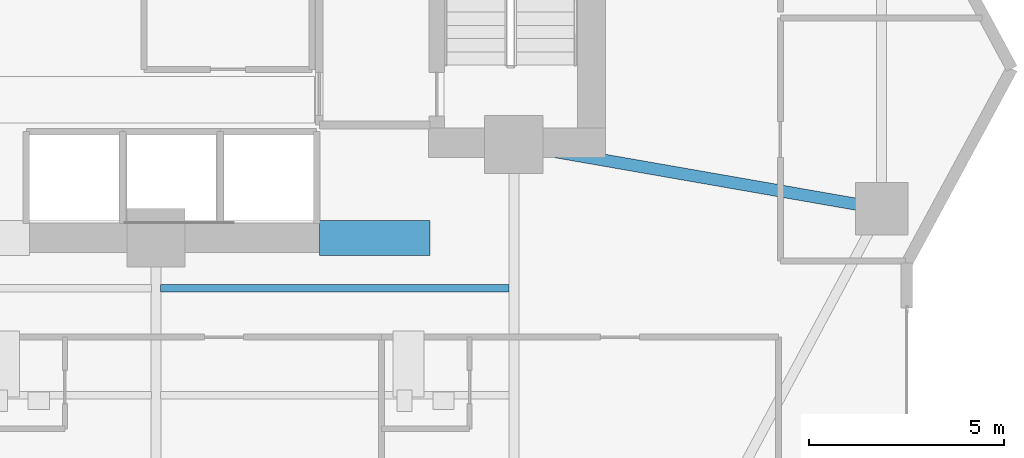
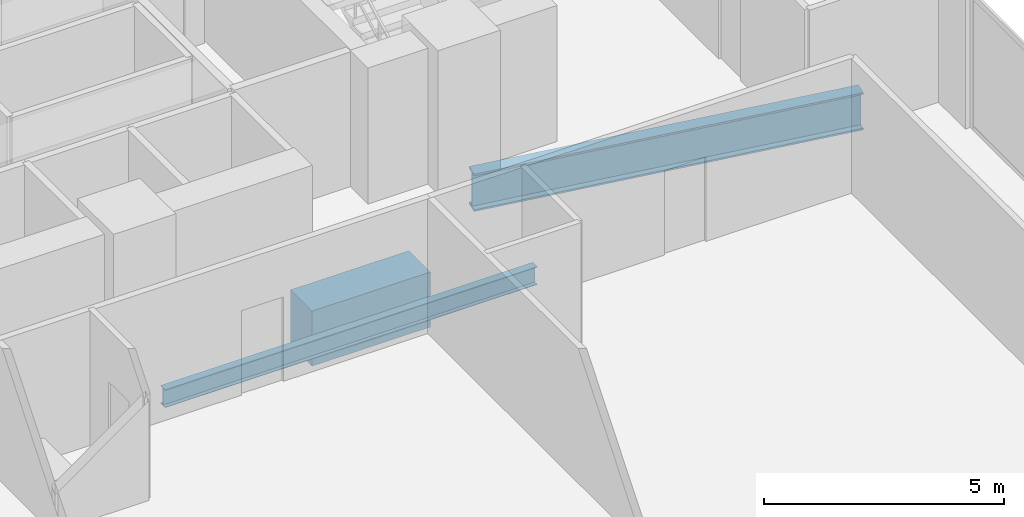
# One storey, part 12 of 29: 3 beams.
"""IFC4 building model written with IfcOpenShell, lengths in metres."""

from ifc_helpers import new_model, si_unit, direction, frame, origin, origin_2d, place, context, subcontext, project, spatial, rectangle, i_section, extrude, material, material_profile, profile_set, type_object, element, save


model = new_model("IFC4")

# Units and contexts
model_context = context("Model", 3, precision=1e-05, world=origin(), true_north=direction((0.0, 1.0)))
body_context = subcontext(model_context, "Body", "Model", "MODEL_VIEW")
ifc_project = project(units=[si_unit("LENGTHUNIT", "METRE"), si_unit("AREAUNIT", "SQUARE_METRE"), si_unit("VOLUMEUNIT", "CUBIC_METRE"), si_unit("PLANEANGLEUNIT", "RADIAN"), si_unit("MASSUNIT", "GRAM", prefix="KILO")], contexts=[model_context])

# Site, building, storey
site_placement = place(None, origin())
site = spatial("IfcSite", under=ifc_project, at=site_placement, CompositionType="ELEMENT")
building_placement = place(site_placement, origin())
building = spatial("IfcBuilding", under=site, at=building_placement, Name="Zuhayl Quay Hotel", CompositionType="ELEMENT")
storey_placement = place(building_placement, frame((0.0, 0.0, 132.14990234375)))
storey = spatial("IfcBuildingStorey", under=building, at=storey_placement, Name="L33", CompositionType="ELEMENT", Elevation=132.14990234375)

# Beams
ifc_material_1 = material(Name="Concrete C60/75", Category="concrete")
ifc_material_profile_1 = material_profile(ifc_material_1, rectangle(XDim=0.89990234375, YDim=1.39990234375, at=origin_2d()), Name="RC900X1400")
ifc_profile_set_1 = profile_set([ifc_material_profile_1], Name="Concrete C60/75")
beam_type_1 = type_object("IfcBeamType", Name="BM_CB1_RC900", PredefinedType="T_BEAM", material=ifc_profile_set_1)
beam_1_placement = place(storey_placement, frame((8.800048828125, 2.14990234375, -0.919921875), z_axis=(1.0, 0.0, 0.0), x_axis=(0.0, 1.0, 0.0)))
element("IfcBeam", 1, at=beam_1_placement, inside=storey, type_object=beam_type_1, Name="L33 Core Coupling Beam SE", PredefinedType="T_BEAM", context=body_context, shape_type="SweptSolid", body=[
    extrude(rectangle(XDim=0.89990234375, YDim=1.39990234375, at=origin_2d()), origin(), (0.0, 0.0, 1.0), 2.849853515625),
])
ifc_material_2 = material(Name="Steel ASTM A992 Grade 50", Category="steel")
ifc_material_profile_2 = material_profile(ifc_material_2, i_section(OverallWidth=0.18994140625, OverallDepth=0.45703125, WebThickness=0.009033203125, FlangeThickness=0.014404296875, at=origin_2d()), Name="W18X50")
ifc_profile_set_2 = profile_set([ifc_material_profile_2], Name="Steel ASTM A992 Grade 50")
beam_type_2 = type_object("IfcBeamType", Name="BM_J2_W18X50", PredefinedType="JOIST", material=ifc_profile_set_2)
beam_2_placement = place(storey_placement, frame((4.718994140625, 0.85009765625, -0.448486328125), z_axis=(1.0, 0.0, 0.0), x_axis=(0.0, 1.0, 0.0)))
element("IfcBeam", 2, at=beam_2_placement, inside=storey, type_object=beam_type_2, Name="L33 Floor Beam FJ_L33_9_3", PredefinedType="JOIST", context=body_context, shape_type="SweptSolid", body=[
    extrude(i_section(OverallWidth=0.18994140625, OverallDepth=0.45703125, WebThickness=0.009033203125, FlangeThickness=0.014404296875, at=origin_2d()), origin(), (0.0, 0.0, 1.0), 8.9619140625),
])
ifc_material_profile_3 = material_profile(ifc_material_2, i_section(OverallWidth=0.31005859375, OverallDepth=0.949951171875, WebThickness=0.0244140625, FlangeThickness=0.0439453125, at=origin_2d()), Name="W36X256")
ifc_profile_set_3 = profile_set([ifc_material_profile_3], Name="Steel ASTM A992 Grade 50")
beam_type_3 = type_object("IfcBeamType", Name="BM_PG1_W36X256", PredefinedType="BEAM", material=ifc_profile_set_3)
beam_3_placement = place(storey_placement, frame((14.243408203125, 4.47265625, -0.69482421875), z_axis=(0.985097302632, -0.171997977741, 0.0), x_axis=(0.171997977741, 0.985097302632, 0.0)))
element("IfcBeam", 3, at=beam_3_placement, inside=storey, type_object=beam_type_3, Name="L33 Floor Beam FG_E_L33_1", PredefinedType="BEAM", context=body_context, shape_type="SweptSolid", body=[
    extrude(i_section(OverallWidth=0.31005859375, OverallDepth=0.949951171875, WebThickness=0.0244140625, FlangeThickness=0.0439453125, at=origin_2d()), origin(), (0.0, 0.0, 1.0), 8.64306640625),
])

save(model, "model.ifc")
